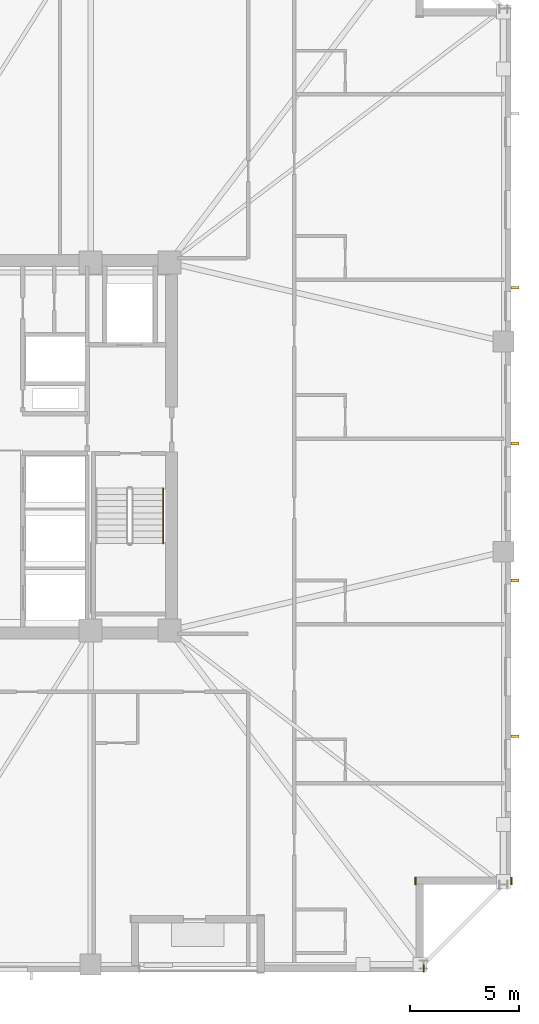
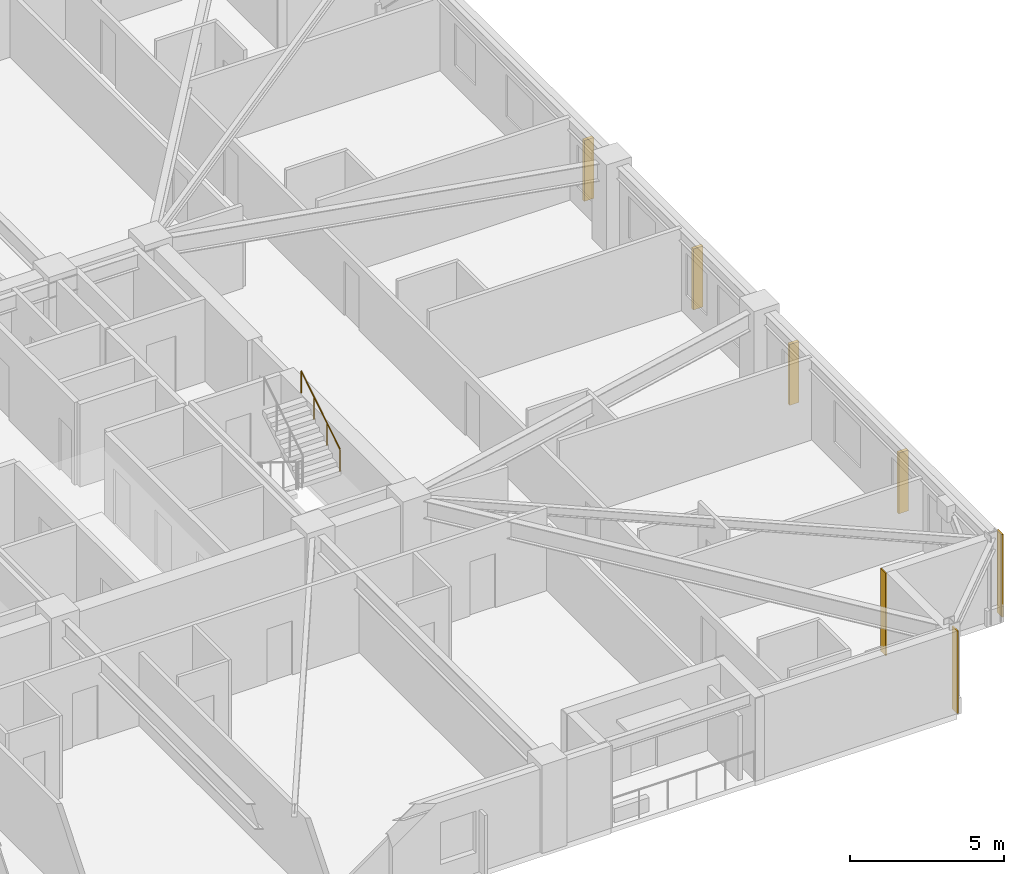
# One storey, part 9 of 11: 4 shading devices, 3 coverings, 1 railing.
"""IFC4 building model written with IfcOpenShell, lengths in metres."""

from ifc_helpers import new_model, si_unit, direction, frame, frame_2d, origin, origin_2d, place, context, subcontext, project, spatial, rectangle, circle, extrude, material, layer, layer_set, type_object, element, save


model = new_model("IFC4")

# Units and contexts
model_context = context("Model", 3, precision=1e-05, world=origin(), true_north=direction((0.0, 1.0)))
body_context = subcontext(model_context, "Body", "Model", "MODEL_VIEW")
ifc_project = project(units=[si_unit("LENGTHUNIT", "METRE"), si_unit("AREAUNIT", "SQUARE_METRE"), si_unit("VOLUMEUNIT", "CUBIC_METRE"), si_unit("PLANEANGLEUNIT", "RADIAN"), si_unit("MASSUNIT", "GRAM", prefix="KILO")], contexts=[model_context])

# Site, building, storey
site_placement = place(None, origin())
site = spatial("IfcSite", under=ifc_project, at=site_placement, CompositionType="ELEMENT")
building_placement = place(site_placement, origin())
building = spatial("IfcBuilding", under=site, at=building_placement, Name="Cairnveth Concourse Tower", CompositionType="ELEMENT")
storey_placement = place(building_placement, frame((0.0, 0.0, 169.0)))
storey = spatial("IfcBuildingStorey", under=building, at=storey_placement, Name="L46", CompositionType="ELEMENT", Elevation=169.0)

# Coverings
ifc_material_1 = material(Name="Dressed Melbourne Bluestone Cladding", Category="masonry")
ifc_layer = layer(ifc_material_1, 0.050048828125)
ifc_layer_set = layer_set([ifc_layer], Name="Dressed Melbourne Bluestone Cladding")
covering_type = type_object("IfcCoveringType", Name="DRESSED BLUESTONE PLINTH CLADDING 50", PredefinedType="CLADDING", material=ifc_layer_set)
for number, where, z_axis, x_axis, name in (
    (1, (76.02001953125, 19.340087890625, 0.0), (0.0, 0.0, 1.0), (0.0, -1.0, 0.0), "Melbourne Bluestone Corner Quoin L46-685"),
    (2, (71.639892578125, 19.340087890625, 0.0), (0.0, 0.0, 1.0), (0.0, -1.0, 0.0), "Melbourne Bluestone Corner Quoin L46-686"),
    (3, (72.02001953125, 15.340087890625, 0.0), (0.0, 0.0, 1.0), (0.0, -1.0, 0.0), "Melbourne Bluestone Corner Quoin L46-687"),
):
    element("IfcCovering", number, at=place(storey_placement, frame(where, z_axis=z_axis, x_axis=x_axis)), inside=storey, type_object=covering_type, Name=name, PredefinedType="CLADDING", context=body_context, shape_type="SweptSolid", body=[
        extrude(rectangle(XDim=0.340087890625, YDim=0.050048828125, at=frame_2d((0.169921875, 0.0))), origin(), (0.0, 0.0, 1.0), 3.280029296875),
    ])

# Shading devices
ifc_material_2 = material(Name="Architectural Bronze Anodised Aluminium 6063-T6", Category="aluminium")
shading_device_type = type_object("IfcShadingDeviceType", Name="GOTHIC BRONZE VERTICAL LANCET FIN", PredefinedType="USERDEFINED", material=ifc_material_2)
for number, where, z_axis, x_axis, name in (
    (4, (76.175048828125, 46.251220703125, 0.030029296875), (0.0, 0.0, 1.0), (0.0, 1.0, 0.0), "Gothic Bronze Vertical Fin L46-9-3"),
    (5, (76.175048828125, 39.14404296875, 0.030029296875), (0.0, 0.0, 1.0), (0.0, 1.0, 0.0), "Gothic Bronze Vertical Fin L46-9-5"),
    (6, (76.175048828125, 32.886962890625, 0.030029296875), (0.0, 0.0, 1.0), (0.0, 1.0, 0.0), "Gothic Bronze Vertical Fin L46-9-7"),
    (7, (76.175048828125, 25.77978515625, 0.030029296875), (0.0, 0.0, 1.0), (0.0, 1.0, 0.0), "Gothic Bronze Vertical Fin L46-9-9"),
):
    element("IfcShadingDevice", number, at=place(storey_placement, frame(where, z_axis=z_axis, x_axis=x_axis)), inside=storey, type_object=shading_device_type, Name=name, ObjectType="VERTICAL FIN", PredefinedType="USERDEFINED", context=body_context, shape_type="SweptSolid", body=[
        extrude(rectangle(XDim=0.1201171875, YDim=0.360107421875, at=origin_2d()), origin(), (0.0, 0.0, 1.0), 2.419921875),
    ])

# Railing
ifc_material_3 = material(Name="Steel Grade 350", Category="steel")
railing_type = type_object("IfcRailingType", Name="STAIR WALL HANDRAIL 900", PredefinedType="HANDRAIL", material=ifc_material_3)
railing_placement = place(storey_placement, frame((60.110107421875, 34.580078125, 1.925048828125)))
element("IfcRailing", 8, at=railing_placement, inside=storey, type_object=railing_type, Name="L46 ST-2 stair handrail 2", PredefinedType="HANDRAIL", context=body_context, shape_type="SweptSolid", body=[
    extrude(circle(Radius=0.02392578125, at=origin_2d()), frame((0.0, 0.0, 0.8759765625), z_axis=(0.0, 0.848007534815, 0.529984170421), x_axis=(-1.0, 0.0, 0.0)), (0.0, 0.0, 1.0), 2.9716796875),
    extrude(circle(Radius=0.02099609375, at=origin_2d()), origin(), (0.0, 0.0, 1.0), 0.851806640625),
    extrude(circle(Radius=0.02099609375, at=origin_2d()), frame((0.0, 0.840087890625, 0.52490234375)), (0.0, 0.0, 1.0), 0.851806640625),
    extrude(circle(Radius=0.02099609375, at=origin_2d()), frame((0.0, 1.679931640625, 1.050048828125)), (0.0, 0.0, 1.0), 0.851806640625),
    extrude(circle(Radius=0.02099609375, at=origin_2d()), frame((0.0, 2.52001953125, 1.574951171875)), (0.0, 0.0, 1.0), 0.851806640625),
])

save(model, "model.ifc")
